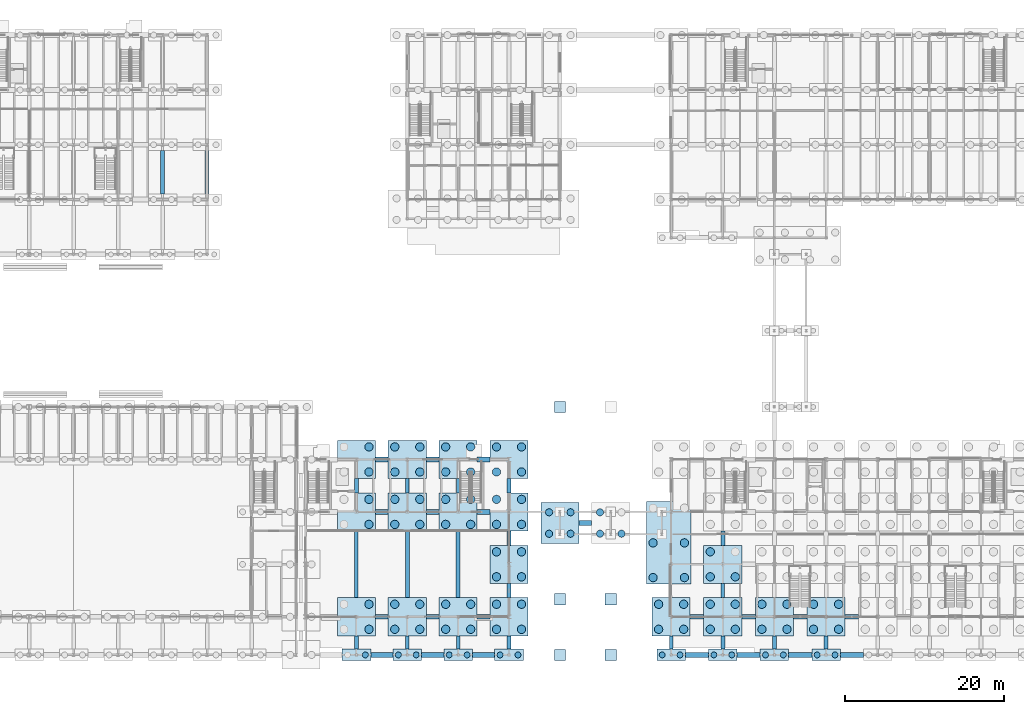
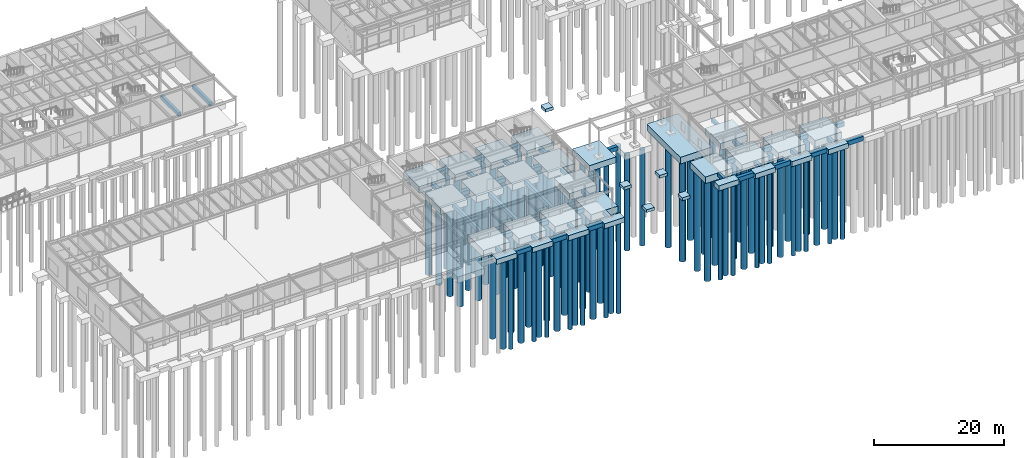
# One storey, part 3 of 82: 91 piles, 75 footings.
"""IFC4 building model written with IfcOpenShell, lengths in metres."""

from ifc_helpers import new_model, si_unit, direction, frame, origin, origin_2d, place, context, subcontext, project, spatial, rectangle, circle, extrude, material, material_profile, profile_set, type_object, element, save


model = new_model("IFC4")

# Units and contexts
model_context = context("Model", 3, precision=1e-05, world=origin(), true_north=direction((0.0, 1.0)))
body_context = subcontext(model_context, "Body", "Model", "MODEL_VIEW")
ifc_project = project(units=[si_unit("LENGTHUNIT", "METRE"), si_unit("AREAUNIT", "SQUARE_METRE"), si_unit("VOLUMEUNIT", "CUBIC_METRE"), si_unit("PLANEANGLEUNIT", "RADIAN"), si_unit("MASSUNIT", "GRAM", prefix="KILO")], contexts=[model_context])

# Site, building, storey
site_placement = place(None, origin())
site = spatial("IfcSite", under=ifc_project, at=site_placement, CompositionType="ELEMENT")
building_placement = place(site_placement, origin())
building = spatial("IfcBuilding", under=site, at=building_placement, Name="Trelmorton Wharf Fire Station", CompositionType="ELEMENT")
storey_placement = place(building_placement, origin())
storey = spatial("IfcBuildingStorey", under=building, at=storey_placement, Name="L00", CompositionType="ELEMENT", Elevation=0.0)

# Footings
ifc_material_1 = material(Name="Concrete 40 MPa", Category="concrete")
ifc_material_profile_1 = material_profile(ifc_material_1, rectangle(XDim=0.449951171875, YDim=0.64990234375, at=origin_2d()), Name="RC450x650")
ifc_profile_set_1 = profile_set([ifc_material_profile_1], Name="Concrete 40 MPa")
footing_type_1 = type_object("IfcFootingType", Name="GB_450x650", PredefinedType="FOOTING_BEAM", material=ifc_profile_set_1)
footing_1_placement = place(storey_placement, frame((64.39990234375, 10.199951171875, -0.675048828125), z_axis=(0.0, 1.0, 0.0), x_axis=(-1.0, 0.0, 0.0)))
element("IfcFooting", 1, at=footing_1_placement, inside=storey, type_object=footing_type_1, Name="FT-GB-269", PredefinedType="FOOTING_BEAM", context=body_context, shape_type="SweptSolid", body=[
    extrude(rectangle(XDim=0.449951171875, YDim=0.64990234375, at=origin_2d()), origin(), (0.0, 0.0, 1.0), 8.400146484375),
])
footing_2_placement = place(storey_placement, frame((70.800048828125, 3.72509765625, -0.675048828125), z_axis=(0.0, 1.0, 0.0), x_axis=(-1.0, 0.0, 0.0)))
element("IfcFooting", 2, at=footing_2_placement, inside=storey, type_object=footing_type_1, Name="FT-GB-271", PredefinedType="FOOTING_BEAM", context=body_context, shape_type="SweptSolid", body=[
    extrude(rectangle(XDim=0.449951171875, YDim=0.64990234375, at=origin_2d()), origin(), (0.0, 0.0, 1.0), 1.6748046875),
])
footing_3_placement = place(storey_placement, frame((70.800048828125, 23.39990234375, -0.675048828125), z_axis=(0.0, 1.0, 0.0), x_axis=(-1.0, 0.0, 0.0)))
element("IfcFooting", 3, at=footing_3_placement, inside=storey, type_object=footing_type_1, Name="FT-GB-273", PredefinedType="FOOTING_BEAM", context=body_context, shape_type="SweptSolid", body=[
    extrude(rectangle(XDim=0.449951171875, YDim=0.64990234375, at=origin_2d()), origin(), (0.0, 0.0, 1.0), 1.800048828125),
])
footing_4_placement = place(storey_placement, frame((77.199951171875, 3.72509765625, -0.675048828125), z_axis=(0.0, 1.0, 0.0), x_axis=(-1.0, 0.0, 0.0)))
element("IfcFooting", 4, at=footing_4_placement, inside=storey, type_object=footing_type_1, Name="FT-GB-277", PredefinedType="FOOTING_BEAM", context=body_context, shape_type="SweptSolid", body=[
    extrude(rectangle(XDim=0.449951171875, YDim=0.64990234375, at=origin_2d()), origin(), (0.0, 0.0, 1.0), 1.6748046875),
])
footing_5_placement = place(storey_placement, frame((77.199951171875, 23.39990234375, -0.675048828125), z_axis=(0.0, 1.0, 0.0), x_axis=(-1.0, 0.0, 0.0)))
element("IfcFooting", 5, at=footing_5_placement, inside=storey, type_object=footing_type_1, Name="FT-GB-279", PredefinedType="FOOTING_BEAM", context=body_context, shape_type="SweptSolid", body=[
    extrude(rectangle(XDim=0.449951171875, YDim=0.64990234375, at=origin_2d()), origin(), (0.0, 0.0, 1.0), 1.800048828125),
])
footing_6_placement = place(storey_placement, frame((83.60009765625, 3.72509765625, -0.675048828125), z_axis=(0.0, 1.0, 0.0), x_axis=(-1.0, 0.0, 0.0)))
element("IfcFooting", 6, at=footing_6_placement, inside=storey, type_object=footing_type_1, Name="FT-GB-283", PredefinedType="FOOTING_BEAM", context=body_context, shape_type="SweptSolid", body=[
    extrude(rectangle(XDim=0.449951171875, YDim=0.64990234375, at=origin_2d()), origin(), (0.0, 0.0, 1.0), 1.6748046875),
])
footing_7_placement = place(storey_placement, frame((83.60009765625, 16.800048828125, -0.675048828125), z_axis=(0.0, 1.0, 0.0), x_axis=(-1.0, 0.0, 0.0)))
element("IfcFooting", 7, at=footing_7_placement, inside=storey, type_object=footing_type_1, Name="FT-GB-285", PredefinedType="FOOTING_BEAM", context=body_context, shape_type="SweptSolid", body=[
    extrude(rectangle(XDim=0.449951171875, YDim=0.64990234375, at=origin_2d()), origin(), (0.0, 0.0, 1.0), 1.800048828125),
])
footing_8_placement = place(storey_placement, frame((104.0, 3.72509765625, -0.675048828125), z_axis=(0.0, 1.0, 0.0), x_axis=(-1.0, 0.0, 0.0)))
element("IfcFooting", 8, at=footing_8_placement, inside=storey, type_object=footing_type_1, Name="FT-GB-293", PredefinedType="FOOTING_BEAM", context=body_context, shape_type="SweptSolid", body=[
    extrude(rectangle(XDim=0.449951171875, YDim=0.64990234375, at=origin_2d()), origin(), (0.0, 0.0, 1.0), 1.6748046875),
])
footing_9_placement = place(storey_placement, frame((110.5, 10.199951171875, -0.675048828125), z_axis=(0.0, 1.0, 0.0), x_axis=(-1.0, 0.0, 0.0)))
element("IfcFooting", 9, at=footing_9_placement, inside=storey, type_object=footing_type_1, Name="FT-GB-299", PredefinedType="FOOTING_BEAM", context=body_context, shape_type="SweptSolid", body=[
    extrude(rectangle(XDim=0.449951171875, YDim=0.64990234375, at=origin_2d()), origin(), (0.0, 0.0, 1.0), 1.800048828125),
])
ifc_material_profile_2 = material_profile(ifc_material_1, rectangle(XDim=0.5, YDim=0.699951171875, at=origin_2d()), Name="RC500x700")
ifc_profile_set_2 = profile_set([ifc_material_profile_2], Name="Concrete 40 MPa")
footing_type_2 = type_object("IfcFootingType", Name="GB_500x700", PredefinedType="FOOTING_BEAM", material=ifc_profile_set_2)
for number, where, z_axis, x_axis, name in (
    (10, (40.0, 61.02490234375, -0.699951171875), (0.0, 1.0, 0.0), (-1.0, 0.0, 0.0), "FT-GB-250"),
    (11, (45.60009765625, 61.02490234375, -0.699951171875), (0.0, 1.0, 0.0), (-1.0, 0.0, 0.0), "FT-GB-256"),
):
    element("IfcFooting", number, at=place(storey_placement, frame(where, z_axis=z_axis, x_axis=x_axis)), inside=storey, type_object=footing_type_2, Name=name, PredefinedType="FOOTING_BEAM", context=body_context, shape_type="SweptSolid", body=[
        extrude(rectangle(XDim=0.5, YDim=0.699951171875, at=origin_2d()), origin(), (0.0, 0.0, 1.0), 5.4501953125),
    ])
footing_10_placement = place(storey_placement, frame((64.39990234375, 3.72509765625, -0.699951171875), z_axis=(0.0, 1.0, 0.0), x_axis=(-1.0, 0.0, 0.0)))
element("IfcFooting", 12, at=footing_10_placement, inside=storey, type_object=footing_type_2, Name="FT-GB-268", PredefinedType="FOOTING_BEAM", context=body_context, shape_type="SweptSolid", body=[
    extrude(rectangle(XDim=0.5, YDim=0.699951171875, at=origin_2d()), origin(), (0.0, 0.0, 1.0), 1.6748046875),
])
footing_11_placement = place(storey_placement, frame((64.39990234375, 23.39990234375, -0.699951171875), z_axis=(0.0, 1.0, 0.0), x_axis=(-1.0, 0.0, 0.0)))
element("IfcFooting", 13, at=footing_11_placement, inside=storey, type_object=footing_type_2, Name="FT-GB-270", PredefinedType="FOOTING_BEAM", context=body_context, shape_type="SweptSolid", body=[
    extrude(rectangle(XDim=0.5, YDim=0.699951171875, at=origin_2d()), origin(), (0.0, 0.0, 1.0), 1.800048828125),
])
for number, where, z_axis, x_axis, name in (
    (14, (70.800048828125, 10.199951171875, -0.699951171875), (0.0, 1.0, 0.0), (-1.0, 0.0, 0.0), "FT-GB-272"),
    (15, (77.199951171875, 10.199951171875, -0.699951171875), (0.0, 1.0, 0.0), (-1.0, 0.0, 0.0), "FT-GB-278"),
):
    element("IfcFooting", number, at=place(storey_placement, frame(where, z_axis=z_axis, x_axis=x_axis)), inside=storey, type_object=footing_type_2, Name=name, PredefinedType="FOOTING_BEAM", context=body_context, shape_type="SweptSolid", body=[
        extrude(rectangle(XDim=0.5, YDim=0.699951171875, at=origin_2d()), origin(), (0.0, 0.0, 1.0), 8.400146484375),
    ])
for number, where, z_axis, x_axis, name in (
    (16, (83.60009765625, 10.199951171875, -0.699951171875), (0.0, 1.0, 0.0), (-1.0, 0.0, 0.0), "FT-GB-284"),
    (17, (83.60009765625, 23.39990234375, -0.699951171875), (0.0, 1.0, 0.0), (-1.0, 0.0, 0.0), "FT-GB-286"),
):
    element("IfcFooting", number, at=place(storey_placement, frame(where, z_axis=z_axis, x_axis=x_axis)), inside=storey, type_object=footing_type_2, Name=name, PredefinedType="FOOTING_BEAM", context=body_context, shape_type="SweptSolid", body=[
        extrude(rectangle(XDim=0.5, YDim=0.699951171875, at=origin_2d()), origin(), (0.0, 0.0, 1.0), 1.800048828125),
    ])
footing_12_placement = place(storey_placement, frame((110.5, 3.72509765625, -0.699951171875), z_axis=(0.0, 1.0, 0.0), x_axis=(-1.0, 0.0, 0.0)))
element("IfcFooting", 18, at=footing_12_placement, inside=storey, type_object=footing_type_2, Name="FT-GB-298", PredefinedType="FOOTING_BEAM", context=body_context, shape_type="SweptSolid", body=[
    extrude(rectangle(XDim=0.5, YDim=0.699951171875, at=origin_2d()), origin(), (0.0, 0.0, 1.0), 1.6748046875),
])
footing_13_placement = place(storey_placement, frame((110.5, 16.800048828125, -0.699951171875), z_axis=(0.0, 1.0, 0.0), x_axis=(-1.0, 0.0, 0.0)))
element("IfcFooting", 19, at=footing_13_placement, inside=storey, type_object=footing_type_2, Name="FT-GB-300", PredefinedType="FOOTING_BEAM", context=body_context, shape_type="SweptSolid", body=[
    extrude(rectangle(XDim=0.5, YDim=0.699951171875, at=origin_2d()), origin(), (0.0, 0.0, 1.0), 1.800048828125),
])
for number, where, z_axis, x_axis, name in (
    (20, (117.0, 3.72509765625, -0.699951171875), (0.0, 1.0, 0.0), (-1.0, 0.0, 0.0), "FT-GB-306"),
    (21, (123.5, 3.72509765625, -0.699951171875), (0.0, 1.0, 0.0), (-1.0, 0.0, 0.0), "FT-GB-316"),
):
    element("IfcFooting", number, at=place(storey_placement, frame(where, z_axis=z_axis, x_axis=x_axis)), inside=storey, type_object=footing_type_2, Name=name, PredefinedType="FOOTING_BEAM", context=body_context, shape_type="SweptSolid", body=[
        extrude(rectangle(XDim=0.5, YDim=0.699951171875, at=origin_2d()), origin(), (0.0, 0.0, 1.0), 1.6748046875),
    ])
ifc_material_profile_3 = material_profile(ifc_material_1, rectangle(XDim=0.60009765625, YDim=0.800048828125, at=origin_2d()), Name="RC600x800")
ifc_profile_set_3 = profile_set([ifc_material_profile_3], Name="Concrete 40 MPa")
footing_type_3 = type_object("IfcFootingType", Name="GB_600x800", PredefinedType="FOOTING_BEAM", material=ifc_profile_set_3)
footing_14_placement = place(storey_placement, frame((66.199951171875, 3.0, -0.75), z_axis=(1.0, 0.0, 0.0), x_axis=(0.0, 1.0, 0.0)))
element("IfcFooting", 22, at=footing_14_placement, inside=storey, type_object=footing_type_3, Name="FT-GB-012", PredefinedType="FOOTING_BEAM", context=body_context, shape_type="SweptSolid", body=[
    extrude(rectangle(XDim=0.60009765625, YDim=0.800048828125, at=origin_2d()), origin(), (0.0, 0.0, 1.0), 2.800048828125),
])
footing_15_placement = place(storey_placement, frame((72.60009765625, 3.0, -0.75), z_axis=(1.0, 0.0, 0.0), x_axis=(0.0, 1.0, 0.0)))
element("IfcFooting", 23, at=footing_15_placement, inside=storey, type_object=footing_type_3, Name="FT-GB-013", PredefinedType="FOOTING_BEAM", context=body_context, shape_type="SweptSolid", body=[
    extrude(rectangle(XDim=0.60009765625, YDim=0.800048828125, at=origin_2d()), origin(), (0.0, 0.0, 1.0), 2.7998046875),
])
footing_16_placement = place(storey_placement, frame((79.0, 3.0, -0.75), z_axis=(1.0, 0.0, 0.0), x_axis=(0.0, 1.0, 0.0)))
element("IfcFooting", 24, at=footing_16_placement, inside=storey, type_object=footing_type_3, Name="FT-GB-014", PredefinedType="FOOTING_BEAM", context=body_context, shape_type="SweptSolid", body=[
    extrude(rectangle(XDim=0.60009765625, YDim=0.800048828125, at=origin_2d()), origin(), (0.0, 0.0, 1.0), 2.800048828125),
])
for number, where, z_axis, x_axis, name in (
    (25, (105.800048828125, 3.0, -0.75), (1.0, 0.0, 0.0), (0.0, 1.0, 0.0), "FT-GB-015"),
    (26, (112.300048828125, 3.0, -0.75), (1.0, 0.0, 0.0), (0.0, 1.0, 0.0), "FT-GB-016"),
    (27, (118.800048828125, 3.0, -0.75), (1.0, 0.0, 0.0), (0.0, 1.0, 0.0), "FT-GB-017"),
    (28, (125.300048828125, 3.0, -0.75), (1.0, 0.0, 0.0), (0.0, 1.0, 0.0), "FT-GB-018"),
):
    element("IfcFooting", number, at=place(storey_placement, frame(where, z_axis=z_axis, x_axis=x_axis)), inside=storey, type_object=footing_type_3, Name=name, PredefinedType="FOOTING_BEAM", context=body_context, shape_type="SweptSolid", body=[
        extrude(rectangle(XDim=0.60009765625, YDim=0.800048828125, at=origin_2d()), origin(), (0.0, 0.0, 1.0), 2.89990234375),
    ])
footing_17_placement = place(storey_placement, frame((66.800048828125, 7.800048828125, -0.75), z_axis=(1.0, 0.0, 0.0), x_axis=(0.0, 1.0, 0.0)))
element("IfcFooting", 29, at=footing_17_placement, inside=storey, type_object=footing_type_3, Name="FT-GB-035", PredefinedType="FOOTING_BEAM", context=body_context, shape_type="SweptSolid", body=[
    extrude(rectangle(XDim=0.60009765625, YDim=0.800048828125, at=origin_2d()), origin(), (0.0, 0.0, 1.0), 1.599853515625),
])
footing_18_placement = place(storey_placement, frame((73.199951171875, 7.800048828125, -0.75), z_axis=(1.0, 0.0, 0.0), x_axis=(0.0, 1.0, 0.0)))
element("IfcFooting", 30, at=footing_18_placement, inside=storey, type_object=footing_type_3, Name="FT-GB-036", PredefinedType="FOOTING_BEAM", context=body_context, shape_type="SweptSolid", body=[
    extrude(rectangle(XDim=0.60009765625, YDim=0.800048828125, at=origin_2d()), origin(), (0.0, 0.0, 1.0), 1.60009765625),
])
footing_19_placement = place(storey_placement, frame((79.60009765625, 7.800048828125, -0.75), z_axis=(1.0, 0.0, 0.0), x_axis=(0.0, 1.0, 0.0)))
element("IfcFooting", 31, at=footing_19_placement, inside=storey, type_object=footing_type_3, Name="FT-GB-037", PredefinedType="FOOTING_BEAM", context=body_context, shape_type="SweptSolid", body=[
    extrude(rectangle(XDim=0.60009765625, YDim=0.800048828125, at=origin_2d()), origin(), (0.0, 0.0, 1.0), 1.599853515625),
])
for number, where, z_axis, x_axis, name in (
    (32, (106.39990234375, 7.800048828125, -0.75), (1.0, 0.0, 0.0), (0.0, 1.0, 0.0), "FT-GB-038"),
    (33, (112.89990234375, 7.800048828125, -0.75), (1.0, 0.0, 0.0), (0.0, 1.0, 0.0), "FT-GB-039"),
    (34, (119.39990234375, 7.800048828125, -0.75), (1.0, 0.0, 0.0), (0.0, 1.0, 0.0), "FT-GB-040"),
    (35, (125.89990234375, 7.800048828125, -0.75), (1.0, 0.0, 0.0), (0.0, 1.0, 0.0), "FT-GB-041"),
):
    element("IfcFooting", number, at=place(storey_placement, frame(where, z_axis=z_axis, x_axis=x_axis)), inside=storey, type_object=footing_type_3, Name=name, PredefinedType="FOOTING_BEAM", context=body_context, shape_type="SweptSolid", body=[
        extrude(rectangle(XDim=0.60009765625, YDim=0.800048828125, at=origin_2d()), origin(), (0.0, 0.0, 1.0), 1.7001953125),
    ])
footing_20_placement = place(storey_placement, frame((92.39990234375, 19.60009765625, -0.75), z_axis=(1.0, 0.0, 0.0), x_axis=(0.0, 1.0, 0.0)))
element("IfcFooting", 36, at=footing_20_placement, inside=storey, type_object=footing_type_3, Name="FT-GB-057", PredefinedType="FOOTING_BEAM", context=body_context, shape_type="SweptSolid", body=[
    extrude(rectangle(XDim=0.60009765625, YDim=0.800048828125, at=origin_2d()), origin(), (0.0, 0.0, 1.0), 1.60009765625),
])
footing_21_placement = place(storey_placement, frame((66.800048828125, 21.0, -0.75), z_axis=(1.0, 0.0, 0.0), x_axis=(0.0, 1.0, 0.0)))
element("IfcFooting", 37, at=footing_21_placement, inside=storey, type_object=footing_type_3, Name="FT-GB-061", PredefinedType="FOOTING_BEAM", context=body_context, shape_type="SweptSolid", body=[
    extrude(rectangle(XDim=0.60009765625, YDim=0.800048828125, at=origin_2d()), origin(), (0.0, 0.0, 1.0), 1.599853515625),
])
footing_22_placement = place(storey_placement, frame((73.199951171875, 21.0, -0.75), z_axis=(1.0, 0.0, 0.0), x_axis=(0.0, 1.0, 0.0)))
element("IfcFooting", 38, at=footing_22_placement, inside=storey, type_object=footing_type_3, Name="FT-GB-062", PredefinedType="FOOTING_BEAM", context=body_context, shape_type="SweptSolid", body=[
    extrude(rectangle(XDim=0.60009765625, YDim=0.800048828125, at=origin_2d()), origin(), (0.0, 0.0, 1.0), 1.60009765625),
])
for number, where, z_axis, x_axis, name in (
    (39, (79.60009765625, 21.0, -0.75), (1.0, 0.0, 0.0), (0.0, 1.0, 0.0), "FT-GB-063"),
    (40, (66.800048828125, 27.60009765625, -0.75), (1.0, 0.0, 0.0), (0.0, 1.0, 0.0), "FT-GB-083"),
):
    element("IfcFooting", number, at=place(storey_placement, frame(where, z_axis=z_axis, x_axis=x_axis)), inside=storey, type_object=footing_type_3, Name=name, PredefinedType="FOOTING_BEAM", context=body_context, shape_type="SweptSolid", body=[
        extrude(rectangle(XDim=0.60009765625, YDim=0.800048828125, at=origin_2d()), origin(), (0.0, 0.0, 1.0), 1.599853515625),
    ])
footing_23_placement = place(storey_placement, frame((73.199951171875, 27.60009765625, -0.75), z_axis=(1.0, 0.0, 0.0), x_axis=(0.0, 1.0, 0.0)))
element("IfcFooting", 41, at=footing_23_placement, inside=storey, type_object=footing_type_3, Name="FT-GB-084", PredefinedType="FOOTING_BEAM", context=body_context, shape_type="SweptSolid", body=[
    extrude(rectangle(XDim=0.60009765625, YDim=0.800048828125, at=origin_2d()), origin(), (0.0, 0.0, 1.0), 1.60009765625),
])
footing_24_placement = place(storey_placement, frame((79.60009765625, 27.60009765625, -0.75), z_axis=(1.0, 0.0, 0.0), x_axis=(0.0, 1.0, 0.0)))
element("IfcFooting", 42, at=footing_24_placement, inside=storey, type_object=footing_type_3, Name="FT-GB-085", PredefinedType="FOOTING_BEAM", context=body_context, shape_type="SweptSolid", body=[
    extrude(rectangle(XDim=0.60009765625, YDim=0.800048828125, at=origin_2d()), origin(), (0.0, 0.0, 1.0), 1.599853515625),
])
footing_type_4 = type_object("IfcFootingType", Name="PAD_1400", PredefinedType="PAD_FOOTING", material=ifc_material_1)
for number, where, z_axis, x_axis, name in (
    (43, (90.0, 3.0, -0.89990234375), (0.0, 0.0, 1.0), (1.0, 0.0, 0.0), "FT-PAD-FC-S-21"),
    (44, (90.0, 10.0, -0.89990234375), (0.0, 0.0, 1.0), (1.0, 0.0, 0.0), "FT-PAD-FC-M-21"),
    (45, (90.0, 34.199951171875, -0.89990234375), (0.0, 0.0, 1.0), (1.0, 0.0, 0.0), "FT-PAD-FC-N-21"),
    (46, (96.39990234375, 3.0, -0.89990234375), (0.0, 0.0, 1.0), (1.0, 0.0, 0.0), "FT-PAD-FC-S-22"),
    (47, (96.39990234375, 10.0, -0.89990234375), (0.0, 0.0, 1.0), (1.0, 0.0, 0.0), "FT-PAD-FC-M-22"),
):
    element("IfcFooting", number, at=place(storey_placement, frame(where, z_axis=z_axis, x_axis=x_axis)), inside=storey, type_object=footing_type_4, Name=name, PredefinedType="PAD_FOOTING", context=body_context, shape_type="SweptSolid", body=[
        extrude(rectangle(XDim=1.39990234375, YDim=1.39990234375, at=origin_2d()), origin(), (0.0, 0.0, 1.0), 0.550048828125),
    ])
footing_type_5 = type_object("IfcFootingType", Name="PC_2P_750_W", PredefinedType="PILE_CAP", material=ifc_material_1)
for number, where, z_axis, x_axis, name in (
    (48, (64.39990234375, 3.0, -1.2998046875), (0.0, 0.0, 1.0), (1.0, 0.0, 0.0), "FT-CAP-098"),
    (49, (70.800048828125, 3.0, -1.2998046875), (0.0, 0.0, 1.0), (1.0, 0.0, 0.0), "FT-CAP-102"),
    (50, (77.199951171875, 3.0, -1.2998046875), (0.0, 0.0, 1.0), (1.0, 0.0, 0.0), "FT-CAP-110"),
    (51, (83.60009765625, 3.0, -1.2998046875), (0.0, 0.0, 1.0), (1.0, 0.0, 0.0), "FT-CAP-118"),
    (52, (104.0, 3.0, -1.2998046875), (0.0, 0.0, 1.0), (1.0, 0.0, 0.0), "FT-CAP-134"),
    (53, (110.5, 3.0, -1.2998046875), (0.0, 0.0, 1.0), (1.0, 0.0, 0.0), "FT-CAP-142"),
    (54, (117.0, 3.0, -1.2998046875), (0.0, 0.0, 1.0), (1.0, 0.0, 0.0), "FT-CAP-152"),
    (55, (123.5, 3.0, -1.2998046875), (0.0, 0.0, 1.0), (1.0, 0.0, 0.0), "FT-CAP-166"),
):
    element("IfcFooting", number, at=place(storey_placement, frame(where, z_axis=z_axis, x_axis=x_axis)), inside=storey, type_object=footing_type_5, Name=name, PredefinedType="PILE_CAP", context=body_context, shape_type="SweptSolid", body=[
        extrude(rectangle(XDim=3.60009765625, YDim=1.449951171875, at=origin_2d()), origin(), (0.0, 0.0, 1.0), 0.949951171875),
    ])
footing_type_6 = type_object("IfcFootingType", Name="PC_4P_1050_W", PredefinedType="PILE_CAP", material=ifc_material_1)
for number, where, z_axis, x_axis, name in (
    (56, (64.39990234375, 7.800048828125, -1.60009765625), (0.0, 0.0, 1.0), (1.0, 0.0, 0.0), "FT-CAP-099"),
    (57, (64.39990234375, 21.0, -1.60009765625), (0.0, 0.0, 1.0), (1.0, 0.0, 0.0), "FT-CAP-100"),
    (58, (64.39990234375, 27.60009765625, -1.60009765625), (0.0, 0.0, 1.0), (1.0, 0.0, 0.0), "FT-CAP-101"),
    (59, (70.800048828125, 7.800048828125, -1.60009765625), (0.0, 0.0, 1.0), (1.0, 0.0, 0.0), "FT-CAP-103"),
    (60, (70.800048828125, 21.0, -1.60009765625), (0.0, 0.0, 1.0), (1.0, 0.0, 0.0), "FT-CAP-104"),
    (61, (70.800048828125, 27.60009765625, -1.60009765625), (0.0, 0.0, 1.0), (1.0, 0.0, 0.0), "FT-CAP-105"),
    (62, (77.199951171875, 7.800048828125, -1.60009765625), (0.0, 0.0, 1.0), (1.0, 0.0, 0.0), "FT-CAP-111"),
    (63, (77.199951171875, 21.0, -1.60009765625), (0.0, 0.0, 1.0), (1.0, 0.0, 0.0), "FT-CAP-112"),
    (64, (77.199951171875, 27.60009765625, -1.60009765625), (0.0, 0.0, 1.0), (1.0, 0.0, 0.0), "FT-CAP-113"),
    (65, (83.60009765625, 7.800048828125, -1.60009765625), (0.0, 0.0, 1.0), (1.0, 0.0, 0.0), "FT-CAP-119"),
    (66, (83.60009765625, 14.39990234375, -1.60009765625), (0.0, 0.0, 1.0), (1.0, 0.0, 0.0), "FT-CAP-120"),
    (67, (83.60009765625, 21.0, -1.60009765625), (0.0, 0.0, 1.0), (1.0, 0.0, 0.0), "FT-CAP-121"),
    (68, (83.60009765625, 27.60009765625, -1.60009765625), (0.0, 0.0, 1.0), (1.0, 0.0, 0.0), "FT-CAP-122"),
    (69, (104.0, 7.800048828125, -1.60009765625), (0.0, 0.0, 1.0), (1.0, 0.0, 0.0), "FT-CAP-135"),
    (70, (110.5, 7.800048828125, -1.60009765625), (0.0, 0.0, 1.0), (1.0, 0.0, 0.0), "FT-CAP-143"),
    (71, (110.5, 14.39990234375, -1.60009765625), (0.0, 0.0, 1.0), (1.0, 0.0, 0.0), "FT-CAP-144"),
    (72, (117.0, 7.800048828125, -1.60009765625), (0.0, 0.0, 1.0), (1.0, 0.0, 0.0), "FT-CAP-153"),
    (73, (123.5, 7.800048828125, -1.60009765625), (0.0, 0.0, 1.0), (1.0, 0.0, 0.0), "FT-CAP-167"),
):
    element("IfcFooting", number, at=place(storey_placement, frame(where, z_axis=z_axis, x_axis=x_axis)), inside=storey, type_object=footing_type_6, Name=name, PredefinedType="PILE_CAP", context=body_context, shape_type="SweptSolid", body=[
        extrude(rectangle(XDim=4.800048828125, YDim=4.800048828125, at=origin_2d()), origin(), (0.0, 0.0, 1.0), 1.25),
    ])
footing_type_7 = type_object("IfcFootingType", Name="PC_COMB_560x1040", PredefinedType="PILE_CAP", material=ifc_material_1)
footing_25_placement = place(storey_placement, frame((103.699951171875, 17.10009765625, -1.60009765625), z_axis=(0.0, 0.0, 1.0), x_axis=(1.0, 0.0, 0.0)))
element("IfcFooting", 74, at=footing_25_placement, inside=storey, type_object=footing_type_7, Name="FT-CAP-133", PredefinedType="PILE_CAP", context=body_context, shape_type="SweptSolid", body=[
    extrude(rectangle(XDim=5.60009765625, YDim=10.39990234375, at=origin_2d()), origin(), (0.0, 0.0, 1.0), 1.25),
])
footing_type_8 = type_object("IfcFootingType", Name="PC_SJ_480x520", PredefinedType="PILE_CAP", material=ifc_material_1)
footing_26_placement = place(storey_placement, frame((90.0, 19.60009765625, -1.5), z_axis=(0.0, 0.0, 1.0), x_axis=(1.0, 0.0, 0.0)))
element("IfcFooting", 75, at=footing_26_placement, inside=storey, type_object=footing_type_8, Name="FT-CAP-127", PredefinedType="PILE_CAP", context=body_context, shape_type="SweptSolid", body=[
    extrude(rectangle(XDim=4.800048828125, YDim=5.199951171875, at=origin_2d()), origin(), (0.0, 0.0, 1.0), 1.14990234375),
])

# Piles
ifc_material_2 = material(Name="Concrete 45 MPa", Category="concrete")
ifc_material_profile_4 = material_profile(ifc_material_2, circle(Radius=0.52490234375, at=origin_2d()), Name="PILE-D1050")
ifc_profile_set_4 = profile_set([ifc_material_profile_4], Name="Concrete 45 MPa")
pile_type_1 = type_object("IfcPileType", Name="PILE_D1050", PredefinedType="BORED", material=ifc_profile_set_4)
for number, where, z_axis, x_axis, name in (
    (76, (65.97509765625, 6.22509765625, -1.5), (0.0, 0.0, -1.0), (1.0, 0.0, 0.0), "PL-0198"),
    (77, (65.97509765625, 9.375, -1.5), (0.0, 0.0, -1.0), (1.0, 0.0, 0.0), "PL-0200"),
    (78, (65.97509765625, 19.425048828125, -1.5), (0.0, 0.0, -1.0), (1.0, 0.0, 0.0), "PL-0202"),
    (79, (65.97509765625, 22.574951171875, -1.5), (0.0, 0.0, -1.0), (1.0, 0.0, 0.0), "PL-0204"),
    (80, (65.97509765625, 26.02490234375, -1.5), (0.0, 0.0, -1.0), (1.0, 0.0, 0.0), "PL-0206"),
    (81, (65.97509765625, 29.175048828125, -1.5), (0.0, 0.0, -1.0), (1.0, 0.0, 0.0), "PL-0208"),
    (82, (69.22509765625, 6.22509765625, -1.5), (0.0, 0.0, -1.0), (1.0, 0.0, 0.0), "PL-0211"),
    (83, (72.375, 6.22509765625, -1.5), (0.0, 0.0, -1.0), (1.0, 0.0, 0.0), "PL-0212"),
    (84, (69.22509765625, 9.375, -1.5), (0.0, 0.0, -1.0), (1.0, 0.0, 0.0), "PL-0213"),
    (85, (72.375, 9.375, -1.5), (0.0, 0.0, -1.0), (1.0, 0.0, 0.0), "PL-0214"),
    (86, (69.22509765625, 19.425048828125, -1.5), (0.0, 0.0, -1.0), (1.0, 0.0, 0.0), "PL-0215"),
    (87, (72.375, 19.425048828125, -1.5), (0.0, 0.0, -1.0), (1.0, 0.0, 0.0), "PL-0216"),
    (88, (69.22509765625, 22.574951171875, -1.5), (0.0, 0.0, -1.0), (1.0, 0.0, 0.0), "PL-0217"),
    (89, (72.375, 22.574951171875, -1.5), (0.0, 0.0, -1.0), (1.0, 0.0, 0.0), "PL-0218"),
    (90, (69.22509765625, 26.02490234375, -1.5), (0.0, 0.0, -1.0), (1.0, 0.0, 0.0), "PL-0219"),
    (91, (72.375, 26.02490234375, -1.5), (0.0, 0.0, -1.0), (1.0, 0.0, 0.0), "PL-0220"),
    (92, (69.22509765625, 29.175048828125, -1.5), (0.0, 0.0, -1.0), (1.0, 0.0, 0.0), "PL-0221"),
    (93, (72.375, 29.175048828125, -1.5), (0.0, 0.0, -1.0), (1.0, 0.0, 0.0), "PL-0222"),
    (94, (75.625, 6.22509765625, -1.5), (0.0, 0.0, -1.0), (1.0, 0.0, 0.0), "PL-0235"),
    (95, (78.77490234375, 6.22509765625, -1.5), (0.0, 0.0, -1.0), (1.0, 0.0, 0.0), "PL-0236"),
    (96, (75.625, 9.375, -1.5), (0.0, 0.0, -1.0), (1.0, 0.0, 0.0), "PL-0237"),
    (97, (78.77490234375, 9.375, -1.5), (0.0, 0.0, -1.0), (1.0, 0.0, 0.0), "PL-0238"),
    (98, (75.625, 19.425048828125, -1.5), (0.0, 0.0, -1.0), (1.0, 0.0, 0.0), "PL-0239"),
    (99, (78.77490234375, 19.425048828125, -1.5), (0.0, 0.0, -1.0), (1.0, 0.0, 0.0), "PL-0240"),
    (100, (75.625, 22.574951171875, -1.5), (0.0, 0.0, -1.0), (1.0, 0.0, 0.0), "PL-0241"),
    (101, (78.77490234375, 22.574951171875, -1.5), (0.0, 0.0, -1.0), (1.0, 0.0, 0.0), "PL-0242"),
    (102, (75.625, 26.02490234375, -1.5), (0.0, 0.0, -1.0), (1.0, 0.0, 0.0), "PL-0243"),
    (103, (78.77490234375, 26.02490234375, -1.5), (0.0, 0.0, -1.0), (1.0, 0.0, 0.0), "PL-0244"),
    (104, (75.625, 29.175048828125, -1.5), (0.0, 0.0, -1.0), (1.0, 0.0, 0.0), "PL-0245"),
    (105, (78.77490234375, 29.175048828125, -1.5), (0.0, 0.0, -1.0), (1.0, 0.0, 0.0), "PL-0246"),
    (106, (82.02490234375, 6.22509765625, -1.5), (0.0, 0.0, -1.0), (1.0, 0.0, 0.0), "PL-0259"),
    (107, (85.175048828125, 6.22509765625, -1.5), (0.0, 0.0, -1.0), (1.0, 0.0, 0.0), "PL-0260"),
    (108, (82.02490234375, 9.375, -1.5), (0.0, 0.0, -1.0), (1.0, 0.0, 0.0), "PL-0261"),
    (109, (85.175048828125, 9.375, -1.5), (0.0, 0.0, -1.0), (1.0, 0.0, 0.0), "PL-0262"),
    (110, (82.02490234375, 12.824951171875, -1.5), (0.0, 0.0, -1.0), (1.0, 0.0, 0.0), "PL-0263"),
    (111, (85.175048828125, 12.824951171875, -1.5), (0.0, 0.0, -1.0), (1.0, 0.0, 0.0), "PL-0264"),
    (112, (82.02490234375, 15.97509765625, -1.5), (0.0, 0.0, -1.0), (1.0, 0.0, 0.0), "PL-0265"),
    (113, (85.175048828125, 15.97509765625, -1.5), (0.0, 0.0, -1.0), (1.0, 0.0, 0.0), "PL-0266"),
    (114, (82.02490234375, 19.425048828125, -1.5), (0.0, 0.0, -1.0), (1.0, 0.0, 0.0), "PL-0267"),
    (115, (85.175048828125, 19.425048828125, -1.5), (0.0, 0.0, -1.0), (1.0, 0.0, 0.0), "PL-0268"),
    (116, (82.02490234375, 22.574951171875, -1.5), (0.0, 0.0, -1.0), (1.0, 0.0, 0.0), "PL-0269"),
    (117, (85.175048828125, 22.574951171875, -1.5), (0.0, 0.0, -1.0), (1.0, 0.0, 0.0), "PL-0270"),
    (118, (82.02490234375, 26.02490234375, -1.5), (0.0, 0.0, -1.0), (1.0, 0.0, 0.0), "PL-0271"),
    (119, (85.175048828125, 26.02490234375, -1.5), (0.0, 0.0, -1.0), (1.0, 0.0, 0.0), "PL-0272"),
    (120, (82.02490234375, 29.175048828125, -1.5), (0.0, 0.0, -1.0), (1.0, 0.0, 0.0), "PL-0273"),
    (121, (85.175048828125, 29.175048828125, -1.5), (0.0, 0.0, -1.0), (1.0, 0.0, 0.0), "PL-0274"),
    (122, (101.72509765625, 12.72509765625, -1.5), (0.0, 0.0, -1.0), (1.0, 0.0, 0.0), "PL-0303"),
    (123, (101.72509765625, 17.10009765625, -1.5), (0.0, 0.0, -1.0), (1.0, 0.0, 0.0), "PL-0304"),
    (124, (105.675048828125, 12.72509765625, -1.5), (0.0, 0.0, -1.0), (1.0, 0.0, 0.0), "PL-0306"),
    (125, (105.675048828125, 17.10009765625, -1.5), (0.0, 0.0, -1.0), (1.0, 0.0, 0.0), "PL-0307"),
    (126, (102.425048828125, 6.22509765625, -1.5), (0.0, 0.0, -1.0), (1.0, 0.0, 0.0), "PL-0311"),
    (127, (105.574951171875, 6.22509765625, -1.5), (0.0, 0.0, -1.0), (1.0, 0.0, 0.0), "PL-0312"),
    (128, (102.425048828125, 9.375, -1.5), (0.0, 0.0, -1.0), (1.0, 0.0, 0.0), "PL-0313"),
    (129, (105.574951171875, 9.375, -1.5), (0.0, 0.0, -1.0), (1.0, 0.0, 0.0), "PL-0314"),
    (130, (108.925048828125, 6.22509765625, -1.5), (0.0, 0.0, -1.0), (1.0, 0.0, 0.0), "PL-0331"),
    (131, (112.074951171875, 6.22509765625, -1.5), (0.0, 0.0, -1.0), (1.0, 0.0, 0.0), "PL-0332"),
    (132, (108.925048828125, 9.375, -1.5), (0.0, 0.0, -1.0), (1.0, 0.0, 0.0), "PL-0333"),
    (133, (112.074951171875, 9.375, -1.5), (0.0, 0.0, -1.0), (1.0, 0.0, 0.0), "PL-0334"),
    (134, (108.925048828125, 12.824951171875, -1.5), (0.0, 0.0, -1.0), (1.0, 0.0, 0.0), "PL-0335"),
    (135, (112.074951171875, 12.824951171875, -1.5), (0.0, 0.0, -1.0), (1.0, 0.0, 0.0), "PL-0336"),
    (136, (108.925048828125, 15.97509765625, -1.5), (0.0, 0.0, -1.0), (1.0, 0.0, 0.0), "PL-0337"),
    (137, (115.425048828125, 6.22509765625, -1.5), (0.0, 0.0, -1.0), (1.0, 0.0, 0.0), "PL-0359"),
    (138, (118.574951171875, 6.22509765625, -1.5), (0.0, 0.0, -1.0), (1.0, 0.0, 0.0), "PL-0360"),
    (139, (115.425048828125, 9.375, -1.5), (0.0, 0.0, -1.0), (1.0, 0.0, 0.0), "PL-0361"),
    (140, (118.574951171875, 9.375, -1.5), (0.0, 0.0, -1.0), (1.0, 0.0, 0.0), "PL-0362"),
    (141, (121.925048828125, 6.22509765625, -1.5), (0.0, 0.0, -1.0), (1.0, 0.0, 0.0), "PL-0401"),
    (142, (125.074951171875, 6.22509765625, -1.5), (0.0, 0.0, -1.0), (1.0, 0.0, 0.0), "PL-0402"),
    (143, (121.925048828125, 9.375, -1.5), (0.0, 0.0, -1.0), (1.0, 0.0, 0.0), "PL-0403"),
    (144, (125.074951171875, 9.375, -1.5), (0.0, 0.0, -1.0), (1.0, 0.0, 0.0), "PL-0404"),
):
    element("IfcPile", number, at=place(storey_placement, frame(where, z_axis=z_axis, x_axis=x_axis)), inside=storey, type_object=pile_type_1, Name=name, PredefinedType="BORED", context=body_context, shape_type="SweptSolid", body=[
        extrude(circle(Radius=0.52490234375, at=origin_2d()), origin(), (0.0, 0.0, 1.0), 19.0),
    ])
ifc_material_profile_5 = material_profile(ifc_material_2, circle(Radius=0.375, at=origin_2d()), Name="PILE-D750")
ifc_profile_set_5 = profile_set([ifc_material_profile_5], Name="Concrete 45 MPa")
pile_type_2 = type_object("IfcPileType", Name="PILE_D750", PredefinedType="BORED", material=ifc_profile_set_5)
for number, where, z_axis, x_axis, name in (
    (145, (65.52490234375, 3.0, -1.199951171875), (0.0, 0.0, -1.0), (1.0, 0.0, 0.0), "PL-0196"),
    (146, (69.675048828125, 3.0, -1.199951171875), (0.0, 0.0, -1.0), (1.0, 0.0, 0.0), "PL-0209"),
    (147, (71.925048828125, 3.0, -1.199951171875), (0.0, 0.0, -1.0), (1.0, 0.0, 0.0), "PL-0210"),
    (148, (76.074951171875, 3.0, -1.199951171875), (0.0, 0.0, -1.0), (1.0, 0.0, 0.0), "PL-0233"),
    (149, (78.324951171875, 3.0, -1.199951171875), (0.0, 0.0, -1.0), (1.0, 0.0, 0.0), "PL-0234"),
    (150, (82.47509765625, 3.0, -1.199951171875), (0.0, 0.0, -1.0), (1.0, 0.0, 0.0), "PL-0257"),
    (151, (84.72509765625, 3.0, -1.199951171875), (0.0, 0.0, -1.0), (1.0, 0.0, 0.0), "PL-0258"),
    (152, (102.875, 3.0, -1.199951171875), (0.0, 0.0, -1.0), (1.0, 0.0, 0.0), "PL-0309"),
    (153, (105.125, 3.0, -1.199951171875), (0.0, 0.0, -1.0), (1.0, 0.0, 0.0), "PL-0310"),
    (154, (109.375, 3.0, -1.199951171875), (0.0, 0.0, -1.0), (1.0, 0.0, 0.0), "PL-0329"),
    (155, (111.625, 3.0, -1.199951171875), (0.0, 0.0, -1.0), (1.0, 0.0, 0.0), "PL-0330"),
    (156, (115.875, 3.0, -1.199951171875), (0.0, 0.0, -1.0), (1.0, 0.0, 0.0), "PL-0357"),
    (157, (118.125, 3.0, -1.199951171875), (0.0, 0.0, -1.0), (1.0, 0.0, 0.0), "PL-0358"),
    (158, (122.375, 3.0, -1.199951171875), (0.0, 0.0, -1.0), (1.0, 0.0, 0.0), "PL-0399"),
    (159, (124.625, 3.0, -1.199951171875), (0.0, 0.0, -1.0), (1.0, 0.0, 0.0), "PL-0400"),
):
    element("IfcPile", number, at=place(storey_placement, frame(where, z_axis=z_axis, x_axis=x_axis)), inside=storey, type_object=pile_type_2, Name=name, PredefinedType="BORED", context=body_context, shape_type="SweptSolid", body=[
        extrude(circle(Radius=0.375, at=origin_2d()), origin(), (0.0, 0.0, 1.0), 17.300048828125),
    ])
ifc_material_profile_6 = material_profile(ifc_material_2, circle(Radius=0.449951171875, at=origin_2d()), Name="PILE-D900")
ifc_profile_set_6 = profile_set([ifc_material_profile_6], Name="Concrete 45 MPa")
pile_type_3 = type_object("IfcPileType", Name="PILE_D900", PredefinedType="BORED", material=ifc_profile_set_6)
for number, where, z_axis, x_axis, name in (
    (160, (88.64990234375, 18.25, -1.39990234375), (0.0, 0.0, -1.0), (1.0, 0.0, 0.0), "PL-0285"),
    (161, (91.35009765625, 18.25, -1.39990234375), (0.0, 0.0, -1.0), (1.0, 0.0, 0.0), "PL-0286"),
    (162, (88.64990234375, 20.949951171875, -1.39990234375), (0.0, 0.0, -1.0), (1.0, 0.0, 0.0), "PL-0287"),
    (163, (91.35009765625, 20.949951171875, -1.39990234375), (0.0, 0.0, -1.0), (1.0, 0.0, 0.0), "PL-0288"),
    (164, (95.050048828125, 18.25, -1.39990234375), (0.0, 0.0, -1.0), (1.0, 0.0, 0.0), "PL-0299"),
    (165, (97.75, 18.25, -1.39990234375), (0.0, 0.0, -1.0), (1.0, 0.0, 0.0), "PL-0300"),
    (166, (95.050048828125, 20.949951171875, -1.39990234375), (0.0, 0.0, -1.0), (1.0, 0.0, 0.0), "PL-0301"),
):
    element("IfcPile", number, at=place(storey_placement, frame(where, z_axis=z_axis, x_axis=x_axis)), inside=storey, type_object=pile_type_3, Name=name, PredefinedType="BORED", context=body_context, shape_type="SweptSolid", body=[
        extrude(circle(Radius=0.449951171875, at=origin_2d()), origin(), (0.0, 0.0, 1.0), 18.10009765625),
    ])

save(model, "model.ifc")
